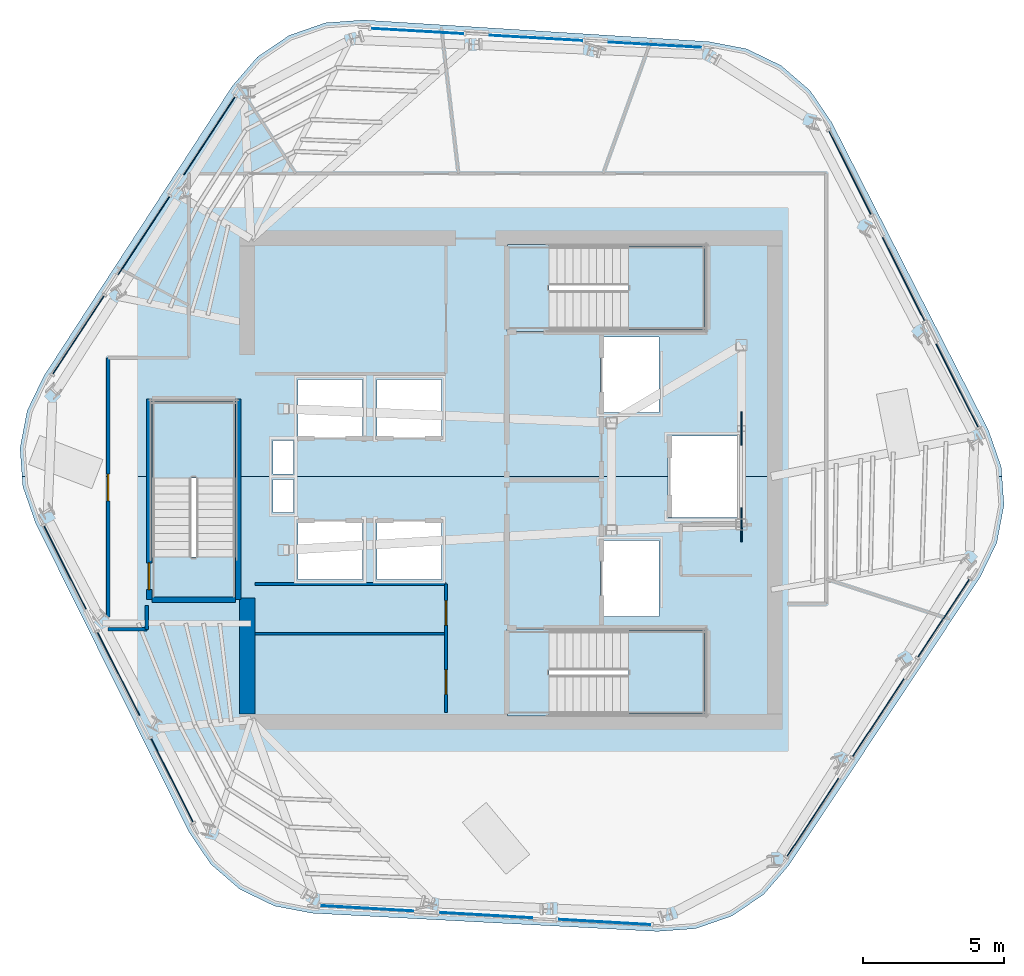
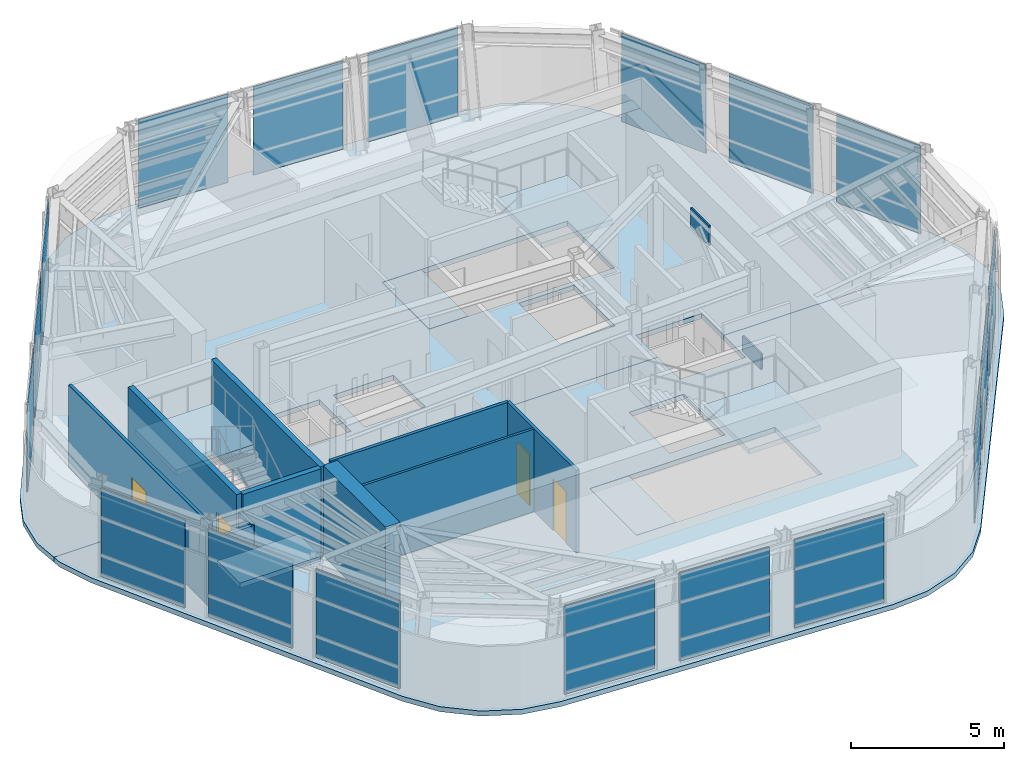
# One storey, part 6 of 13: 20 plates, 10 walls, 8 slabs, 4 doors, 4 openings, 9 elements without a shape of their own.
"""IFC4 building model written with IfcOpenShell, lengths in metres."""

from ifc_helpers import new_model, si_unit, direction, frame, frame_2d, origin, origin_2d, place, context, subcontext, project, spatial, polyline, rectangle, outline, extrude, material, layer, layer_set, type_object, element, fill, aggregate, save


model = new_model("IFC4")

# Units and contexts
model_context = context("Model", 3, precision=1e-05, world=origin(), true_north=direction((0.0, 1.0)))
body_context = subcontext(model_context, "Body", "Model", "MODEL_VIEW")
ifc_project = project(units=[si_unit("LENGTHUNIT", "METRE"), si_unit("AREAUNIT", "SQUARE_METRE"), si_unit("VOLUMEUNIT", "CUBIC_METRE"), si_unit("PLANEANGLEUNIT", "RADIAN"), si_unit("MASSUNIT", "GRAM", prefix="KILO")], contexts=[model_context])

# Site, building, storey
site_placement = place(None, origin())
site = spatial("IfcSite", under=ifc_project, at=site_placement, CompositionType="ELEMENT")
building_placement = place(site_placement, origin())
building = spatial("IfcBuilding", under=site, at=building_placement, Name="Valkerne Bourse Tower", CompositionType="ELEMENT")
storey_placement = place(building_placement, frame((0.0, 0.0, 269.800048828125)))
storey = spatial("IfcBuildingStorey", under=building, at=storey_placement, Name="L68", CompositionType="ELEMENT", Elevation=269.800048828125)

# Curtain wall, plates
ifc_material_1 = material(Name="Aluminium AA 6063-T6", Category="aluminium")
ifc_layer_1 = layer(ifc_material_1, 0.2451171875)
ifc_layer_set_1 = layer_set([ifc_layer_1], Name="Aluminium AA 6063-T6")
curtain_wall_type = type_object("IfcCurtainWallType", Name="CW-05", PredefinedType="NOTDEFINED", material=ifc_layer_set_1)
curtain_wall_1_placement = place(storey_placement, origin())
curtain_wall_1 = element("IfcCurtainWall", 1, at=curtain_wall_1_placement, inside=storey, type_object=curtain_wall_type, Name="L68 Hexagonal Stick Curtain Wall Face 1", PredefinedType="NOTDEFINED")
ifc_material_2 = material(Name="Glass IGU Low-E Double Glazed", Category="glass")
ifc_layer_2 = layer(ifc_material_2, 0.031982421875)
ifc_layer_set_2 = layer_set([ifc_layer_2], Name="Glass IGU Low-E Double Glazed")
plate_type_1 = type_object("IfcPlateType", Name="CW-PNL-IGU-32", PredefinedType="CURTAIN_PANEL", material=ifc_layer_set_2)
plate_1_placement = place(storey_placement, frame((51.8994140625, 42.2705078125, 0.030029296875), z_axis=(0.0, 0.0, 1.0), x_axis=(-0.99834261844, 0.05755011908, 0.0)))
plate_1 = element("IfcPlate", 2, at=plate_1_placement, type_object=plate_type_1, Name="CW-L68-F1 Curtain Panel 00", PredefinedType="CURTAIN_PANEL", context=body_context, shape_type="SweptSolid", body=[
    extrude(rectangle(XDim=3.2919921875, YDim=0.031982421875, at=origin_2d()), origin(), (0.0, 0.0, 1.0), 3.5400390625),
])
plate_2_placement = place(storey_placement, frame((47.694580078125, 42.512939453125, 0.030029296875), z_axis=(0.0, 0.0, 1.0), x_axis=(-0.998341254083, 0.057573782189, 0.0)))
plate_2 = element("IfcPlate", 3, at=plate_2_placement, type_object=plate_type_1, Name="CW-L68-F1 Curtain Panel 01", PredefinedType="CURTAIN_PANEL", context=body_context, shape_type="SweptSolid", body=[
    extrude(rectangle(XDim=3.2919921875, YDim=0.031982421875, at=origin_2d()), origin(), (0.0, 0.0, 1.0), 3.5400390625),
])
plate_3_placement = place(storey_placement, frame((43.489501953125, 42.75537109375, 0.030029296875), z_axis=(0.0, 0.0, 1.0), x_axis=(-0.99834261844, 0.05755011908, 0.0)))
plate_3 = element("IfcPlate", 4, at=plate_3_placement, type_object=plate_type_1, Name="CW-L68-F1 Curtain Panel 02", PredefinedType="CURTAIN_PANEL", context=body_context, shape_type="SweptSolid", body=[
    extrude(rectangle(XDim=3.2919921875, YDim=0.031982421875, at=origin_2d()), origin(), (0.0, 0.0, 1.0), 3.5400390625),
])
aggregate(curtain_wall_1, [plate_1, plate_2, plate_3])

curtain_wall_2_placement = place(storey_placement, origin())
curtain_wall_2 = element("IfcCurtainWall", 5, at=curtain_wall_2_placement, inside=storey, type_object=curtain_wall_type, Name="L68 Hexagonal Stick Curtain Wall Face 2", PredefinedType="NOTDEFINED")
plate_4_placement = place(storey_placement, frame((36.125, 39.051513671875, 0.030029296875), z_axis=(0.0, 0.0, 1.0), x_axis=(-0.549027698442, -0.835804155495, 0.0)))
plate_4 = element("IfcPlate", 6, at=plate_4_placement, type_object=plate_type_1, Name="CW-L68-F2 Curtain Panel 00", PredefinedType="CURTAIN_PANEL", context=body_context, shape_type="SweptSolid", body=[
    extrude(rectangle(XDim=3.2919921875, YDim=0.031982421875, at=origin_2d()), origin(), (0.0, 0.0, 1.0), 3.5400390625),
])
plate_5_placement = place(storey_placement, frame((33.8125, 35.531005859375, 0.030029296875), z_axis=(0.0, 0.0, 1.0), x_axis=(-0.549016804002, -0.835811311795, 0.0)))
plate_5 = element("IfcPlate", 7, at=plate_5_placement, type_object=plate_type_1, Name="CW-L68-F2 Curtain Panel 01", PredefinedType="CURTAIN_PANEL", context=body_context, shape_type="SweptSolid", body=[
    extrude(rectangle(XDim=3.2919921875, YDim=0.031982421875, at=origin_2d()), origin(), (0.0, 0.0, 1.0), 3.5400390625),
])
plate_6_placement = place(storey_placement, frame((31.5, 32.010498046875, 0.030029296875), z_axis=(0.0, 0.0, 1.0), x_axis=(-0.549011112876, -0.835815050079, 0.0)))
plate_6 = element("IfcPlate", 8, at=plate_6_placement, type_object=plate_type_1, Name="CW-L68-F2 Curtain Panel 02", PredefinedType="CURTAIN_PANEL", context=body_context, shape_type="SweptSolid", body=[
    extrude(rectangle(XDim=3.2919921875, YDim=0.031982421875, at=origin_2d()), origin(), (0.0, 0.0, 1.0), 3.5400390625),
])
aggregate(curtain_wall_2, [plate_4, plate_5, plate_6])

curtain_wall_3_placement = place(storey_placement, origin())
curtain_wall_3 = element("IfcCurtainWall", 9, at=curtain_wall_3_placement, inside=storey, type_object=curtain_wall_type, Name="L68 Hexagonal Stick Curtain Wall Face 3", PredefinedType="NOTDEFINED")
plate_7_placement = place(storey_placement, frame((31.025634765625, 23.781005859375, 0.030029296875), z_axis=(0.0, 0.0, 1.0), x_axis=(0.449320658225, -0.893370553629, 0.0)))
plate_7 = element("IfcPlate", 10, at=plate_7_placement, type_object=plate_type_1, Name="CW-L68-F3 Curtain Panel 00", PredefinedType="CURTAIN_PANEL", context=body_context, shape_type="SweptSolid", body=[
    extrude(rectangle(XDim=3.2919921875, YDim=0.031982421875, at=origin_2d()), origin(), (0.0, 0.0, 1.0), 3.5400390625),
])
plate_8_placement = place(storey_placement, frame((32.918212890625, 20.018310546875, 0.030029296875), z_axis=(0.0, 0.0, 1.0), x_axis=(0.449311128056, -0.893375346764, 0.0)))
plate_8 = element("IfcPlate", 11, at=plate_8_placement, type_object=plate_type_1, Name="CW-L68-F3 Curtain Panel 01", PredefinedType="CURTAIN_PANEL", context=body_context, shape_type="SweptSolid", body=[
    extrude(rectangle(XDim=3.2919921875, YDim=0.031982421875, at=origin_2d()), origin(), (0.0, 0.0, 1.0), 3.5400390625),
])
plate_9_placement = place(storey_placement, frame((34.810546875, 16.25537109375, 0.030029296875), z_axis=(0.0, 0.0, 1.0), x_axis=(0.449330076439, -0.893365816677, 0.0)))
plate_9 = element("IfcPlate", 12, at=plate_9_placement, type_object=plate_type_1, Name="CW-L68-F3 Curtain Panel 02", PredefinedType="CURTAIN_PANEL", context=body_context, shape_type="SweptSolid", body=[
    extrude(rectangle(XDim=3.2919921875, YDim=0.031982421875, at=origin_2d()), origin(), (0.0, 0.0, 1.0), 3.5400390625),
])
aggregate(curtain_wall_3, [plate_7, plate_8, plate_9])

curtain_wall_4_placement = place(storey_placement, origin())
curtain_wall_4 = element("IfcCurtainWall", 13, at=curtain_wall_4_placement, inside=storey, type_object=curtain_wall_type, Name="L68 Hexagonal Stick Curtain Wall Face 4", PredefinedType="NOTDEFINED")
plate_10_placement = place(storey_placement, frame((41.700439453125, 11.7294921875, 0.030029296875), z_axis=(0.0, 0.0, 1.0), x_axis=(0.99834261844, -0.05755011908, 0.0)))
plate_10 = element("IfcPlate", 14, at=plate_10_placement, type_object=plate_type_1, Name="CW-L68-F4 Curtain Panel 00", PredefinedType="CURTAIN_PANEL", context=body_context, shape_type="SweptSolid", body=[
    extrude(rectangle(XDim=3.2919921875, YDim=0.031982421875, at=origin_2d()), origin(), (0.0, 0.0, 1.0), 3.5400390625),
])
plate_11_placement = place(storey_placement, frame((45.905517578125, 11.487060546875, 0.030029296875), z_axis=(0.0, 0.0, 1.0), x_axis=(0.998341254083, -0.057573782189, 0.0)))
plate_11 = element("IfcPlate", 15, at=plate_11_placement, type_object=plate_type_1, Name="CW-L68-F4 Curtain Panel 01", PredefinedType="CURTAIN_PANEL", context=body_context, shape_type="SweptSolid", body=[
    extrude(rectangle(XDim=3.2919921875, YDim=0.031982421875, at=origin_2d()), origin(), (0.0, 0.0, 1.0), 3.5400390625),
])
plate_12_placement = place(storey_placement, frame((50.110595703125, 11.24462890625, 0.030029296875), z_axis=(0.0, 0.0, 1.0), x_axis=(0.99834261844, -0.05755011908, 0.0)))
plate_12 = element("IfcPlate", 16, at=plate_12_placement, type_object=plate_type_1, Name="CW-L68-F4 Curtain Panel 02", PredefinedType="CURTAIN_PANEL", context=body_context, shape_type="SweptSolid", body=[
    extrude(rectangle(XDim=3.2919921875, YDim=0.031982421875, at=origin_2d()), origin(), (0.0, 0.0, 1.0), 3.5400390625),
])
aggregate(curtain_wall_4, [plate_10, plate_11, plate_12])

curtain_wall_5_placement = place(storey_placement, origin())
curtain_wall_5 = element("IfcCurtainWall", 17, at=curtain_wall_5_placement, inside=storey, type_object=curtain_wall_type, Name="L68 Hexagonal Stick Curtain Wall Face 5", PredefinedType="NOTDEFINED")
plate_13_placement = place(storey_placement, frame((57.474853515625, 14.948486328125, 0.030029296875), z_axis=(0.0, 0.0, 1.0), x_axis=(0.549027698442, 0.835804155495, 0.0)))
plate_13 = element("IfcPlate", 18, at=plate_13_placement, type_object=plate_type_1, Name="CW-L68-F5 Curtain Panel 00", PredefinedType="CURTAIN_PANEL", context=body_context, shape_type="SweptSolid", body=[
    extrude(rectangle(XDim=3.2919921875, YDim=0.031982421875, at=origin_2d()), origin(), (0.0, 0.0, 1.0), 3.5400390625),
])
plate_14_placement = place(storey_placement, frame((59.787353515625, 18.468994140625, 0.030029296875), z_axis=(0.0, 0.0, 1.0), x_axis=(0.549016804002, 0.835811311795, 0.0)))
plate_14 = element("IfcPlate", 19, at=plate_14_placement, type_object=plate_type_1, Name="CW-L68-F5 Curtain Panel 01", PredefinedType="CURTAIN_PANEL", context=body_context, shape_type="SweptSolid", body=[
    extrude(rectangle(XDim=3.2919921875, YDim=0.031982421875, at=origin_2d()), origin(), (0.0, 0.0, 1.0), 3.5400390625),
])
plate_15_placement = place(storey_placement, frame((62.099853515625, 21.989501953125, 0.030029296875), z_axis=(0.0, 0.0, 1.0), x_axis=(0.549011112876, 0.835815050079, 0.0)))
plate_15 = element("IfcPlate", 20, at=plate_15_placement, type_object=plate_type_1, Name="CW-L68-F5 Curtain Panel 02", PredefinedType="CURTAIN_PANEL", context=body_context, shape_type="SweptSolid", body=[
    extrude(rectangle(XDim=3.2919921875, YDim=0.031982421875, at=origin_2d()), origin(), (0.0, 0.0, 1.0), 3.5400390625),
])
aggregate(curtain_wall_5, [plate_13, plate_14, plate_15])

curtain_wall_6_placement = place(storey_placement, origin())
curtain_wall_6 = element("IfcCurtainWall", 21, at=curtain_wall_6_placement, inside=storey, type_object=curtain_wall_type, Name="L68 Hexagonal Stick Curtain Wall Face 6", PredefinedType="NOTDEFINED")
plate_16_placement = place(storey_placement, frame((62.574462890625, 30.218994140625, 0.030029296875), z_axis=(0.0, 0.0, 1.0), x_axis=(-0.449320658225, 0.893370553629, 0.0)))
plate_16 = element("IfcPlate", 22, at=plate_16_placement, type_object=plate_type_1, Name="CW-L68-F6 Curtain Panel 00", PredefinedType="CURTAIN_PANEL", context=body_context, shape_type="SweptSolid", body=[
    extrude(rectangle(XDim=3.2919921875, YDim=0.031982421875, at=origin_2d()), origin(), (0.0, 0.0, 1.0), 3.5400390625),
])
plate_17_placement = place(storey_placement, frame((60.681884765625, 33.981689453125, 0.030029296875), z_axis=(0.0, 0.0, 1.0), x_axis=(-0.449311128056, 0.893375346764, 0.0)))
plate_17 = element("IfcPlate", 23, at=plate_17_placement, type_object=plate_type_1, Name="CW-L68-F6 Curtain Panel 01", PredefinedType="CURTAIN_PANEL", context=body_context, shape_type="SweptSolid", body=[
    extrude(rectangle(XDim=3.2919921875, YDim=0.031982421875, at=origin_2d()), origin(), (0.0, 0.0, 1.0), 3.5400390625),
])
plate_18_placement = place(storey_placement, frame((58.789306640625, 37.74462890625, 0.030029296875), z_axis=(0.0, 0.0, 1.0), x_axis=(-0.449330076439, 0.893365816677, 0.0)))
plate_18 = element("IfcPlate", 24, at=plate_18_placement, type_object=plate_type_1, Name="CW-L68-F6 Curtain Panel 02", PredefinedType="CURTAIN_PANEL", context=body_context, shape_type="SweptSolid", body=[
    extrude(rectangle(XDim=3.2919921875, YDim=0.031982421875, at=origin_2d()), origin(), (0.0, 0.0, 1.0), 3.5400390625),
])
aggregate(curtain_wall_6, [plate_16, plate_17, plate_18])

# Plates
ifc_material_3 = material(Name="Steel ASTM A572 Grade 50", Category="steel")
ifc_layer_3 = layer(ifc_material_3, 0.06005859375)
ifc_layer_set_3 = layer_set([ifc_layer_3], Name="Steel ASTM A572 Grade 50")
plate_type_2 = type_object("IfcPlateType", Name="PLT-GUS-60", PredefinedType="SHEET", material=ifc_layer_set_3)
for number, where, z_axis, x_axis, name in (
    (25, (54.949951171875, 25.300048828125, -0.18017578125), (0.0, 0.0, 1.0), (0.0, 1.0, 0.0), "L68 Brace Node Gusset Plate PLT-GUS-END-L68-452"),
    (26, (54.949951171875, 28.699951171875, 2.89404296875), (0.0, 0.0, 1.0), (0.0, 1.0, 0.0), "L68 Brace Node Gusset Plate PLT-GUS-END-L68-453"),
):
    element("IfcPlate", number, at=place(storey_placement, frame(where, z_axis=z_axis, x_axis=x_axis)), inside=storey, type_object=plate_type_2, Name=name, PredefinedType="SHEET", context=body_context, shape_type="SweptSolid", body=[
        extrude(rectangle(XDim=1.199951171875, YDim=0.06005859375, at=origin_2d()), origin(), (0.0, 0.0, 1.0), 0.800048828125),
    ])

# Slabs
ifc_material_4 = material(Name="Concrete C40/50", Category="concrete")
ifc_layer_4 = layer(ifc_material_4, 0.25)
ifc_layer_set_4 = layer_set([ifc_layer_4], Name="Concrete C40/50")
slab_type_1 = type_object("IfcSlabType", Name="SLB-RMP-LND-250", PredefinedType="LANDING", material=ifc_layer_set_4)
slab_1_placement = place(storey_placement, frame((0.0, 0.0, -0.199951171875)))
element("IfcSlab", 27, at=slab_1_placement, inside=storey, type_object=slab_type_1, Name="L68 ST-1 Floor Landing Slab", PredefinedType="LANDING", context=body_context, shape_type="SweptSolid", body=[
    extrude(outline(polyline([(46.669921875, 18.5400390625), (48.14990234375, 18.5400390625), (48.14990234375, 21.610107421875), (46.669921875, 21.610107421875), (46.669921875, 18.5400390625)])), origin(), (0.0, 0.0, 1.0), 0.199951171875),
])
slab_2_placement = place(storey_placement, frame((0.0, 0.0, -0.199951171875)))
element("IfcSlab", 28, at=slab_2_placement, inside=storey, type_object=slab_type_1, Name="L68 ST-2 Floor Landing Slab", PredefinedType="LANDING", context=body_context, shape_type="SweptSolid", body=[
    extrude(outline(polyline([(46.669921875, 32.139892578125), (48.14990234375, 32.139892578125), (48.14990234375, 35.2099609375), (46.669921875, 35.2099609375), (46.669921875, 32.139892578125)])), origin(), (0.0, 0.0, 1.0), 0.199951171875),
])
slab_3_placement = place(storey_placement, frame((0.0, 0.0, -0.199951171875)))
element("IfcSlab", 29, at=slab_3_placement, inside=storey, type_object=slab_type_1, Name="L68 ST-3 Floor Landing Slab", PredefinedType="LANDING", context=body_context, shape_type="SweptSolid", body=[
    extrude(outline(polyline([(37.110107421875, 22.669921875), (37.110107421875, 24.14990234375), (34.0400390625, 24.14990234375), (34.0400390625, 22.669921875), (37.110107421875, 22.669921875)])), origin(), (0.0, 0.0, 1.0), 0.199951171875),
])

# Stair, slab
stair_type = type_object("IfcStairType", Name="ST-CORE-1400", PredefinedType="HALF_TURN_STAIR", material=ifc_material_4)
stair_1_placement = place(storey_placement, origin())
stair_1 = element("IfcStair", 30, at=stair_1_placement, inside=storey, type_object=stair_type, Name="L68 ST-1", PredefinedType="HALF_TURN_STAIR")
ifc_layer_5 = layer(ifc_material_4, 0.179931640625)
ifc_layer_set_5 = layer_set([ifc_layer_5], Name="Concrete C40/50")
slab_type_2 = type_object("IfcSlabType", Name="SLB-ST-LND-180", PredefinedType="LANDING", material=ifc_layer_set_5)
slab_4_placement = place(storey_placement, frame((0.0, 0.0, 1.699951171875)))
slab_4 = element("IfcSlab", 31, at=slab_4_placement, type_object=slab_type_2, Name="ST-1 landing 1", PredefinedType="LANDING", context=body_context, shape_type="SweptSolid", body=[
    extrude(outline(polyline([(50.949951171875, 18.60009765625), (53.64990234375, 18.60009765625), (53.64990234375, 21.550048828125), (50.949951171875, 21.550048828125), (50.949951171875, 18.60009765625)])), origin(), (0.0, 0.0, 1.0), 0.199951171875),
])
aggregate(stair_1, [slab_4])

stair_2_placement = place(storey_placement, origin())
stair_2 = element("IfcStair", 32, at=stair_2_placement, inside=storey, type_object=stair_type, Name="L68 ST-2", PredefinedType="HALF_TURN_STAIR")
slab_5_placement = place(storey_placement, frame((0.0, 0.0, 1.699951171875)))
slab_5 = element("IfcSlab", 33, at=slab_5_placement, type_object=slab_type_2, Name="ST-2 landing 1", PredefinedType="LANDING", context=body_context, shape_type="SweptSolid", body=[
    extrude(outline(polyline([(50.949951171875, 32.199951171875), (53.64990234375, 32.199951171875), (53.64990234375, 35.14990234375), (50.949951171875, 35.14990234375), (50.949951171875, 32.199951171875)])), origin(), (0.0, 0.0, 1.0), 0.199951171875),
])
aggregate(stair_2, [slab_5])

stair_3_placement = place(storey_placement, origin())
stair_3 = element("IfcStair", 34, at=stair_3_placement, inside=storey, type_object=stair_type, Name="L68 ST-3", PredefinedType="HALF_TURN_STAIR")
slab_6_placement = place(storey_placement, frame((0.0, 0.0, 1.699951171875)))
slab_6 = element("IfcSlab", 35, at=slab_6_placement, type_object=slab_type_2, Name="ST-3 landing 1", PredefinedType="LANDING", context=body_context, shape_type="SweptSolid", body=[
    extrude(outline(polyline([(37.050048828125, 26.949951171875), (37.050048828125, 29.64990234375), (34.10009765625, 29.64990234375), (34.10009765625, 26.949951171875), (37.050048828125, 26.949951171875)])), origin(), (0.0, 0.0, 1.0), 0.199951171875),
])
aggregate(stair_3, [slab_6])

# Slabs
ifc_layer_6 = layer(ifc_material_4, 0.199951171875)
ifc_layer_set_6 = layer_set([ifc_layer_6], Name="Concrete C40/50")
slab_type_3 = type_object("IfcSlabType", Name="SLB-TOW-200", PredefinedType="FLOOR", material=ifc_layer_set_6)
slab_7_placement = place(storey_placement, frame((0.0, 0.0, -0.199951171875)))
element("IfcSlab", 36, at=slab_7_placement, inside=storey, type_object=slab_type_3, Name="L68 Hexagonal Composite Floor Slab S", PredefinedType="FLOOR", context=body_context, shape_type="SweptSolid", body=[
    extrude(outline(polyline([(64.236572265625, 25.99462890625), (63.982177734375, 24.6611328125), (63.391357421875, 23.43896484375), (56.6259765625, 13.25), (55.739013671875, 12.222412109375), (54.6162109375, 11.459228515625), (53.334228515625, 11.012939453125), (51.98046875, 10.91357421875), (39.7666015625, 11.556884765625), (38.43310546875, 11.811279296875), (37.2109375, 12.402099609375), (36.183349609375, 13.289306640625), (35.42041015625, 14.411865234375), (29.97900390625, 25.365478515625), (29.53271484375, 26.6474609375), (29.5068359375, 27.0), (34.034912109375, 27.0), (34.034912109375, 22.6650390625), (37.114990234375, 22.6650390625), (37.114990234375, 27.0), (52.360107421875, 27.0), (52.360107421875, 25.56005859375), (54.840087890625, 25.56005859375), (54.840087890625, 27.0), (64.162841796875, 27.0), (64.236572265625, 25.99462890625)]), holes=[polyline([(39.260009765625, 25.43994140625), (39.260009765625, 23.360107421875), (41.5400390625, 23.360107421875), (41.5400390625, 25.43994140625), (39.260009765625, 25.43994140625)]), polyline([(44.340087890625, 25.43994140625), (42.06005859375, 25.43994140625), (42.06005859375, 23.360107421875), (44.340087890625, 23.360107421875), (44.340087890625, 25.43994140625)]), polyline([(38.3798828125, 26.89990234375), (38.3798828125, 25.72998046875), (39.10009765625, 25.72998046875), (39.10009765625, 26.89990234375), (38.3798828125, 26.89990234375)]), polyline([(46.6650390625, 21.614990234375), (46.6650390625, 18.534912109375), (53.675048828125, 18.534912109375), (53.675048828125, 21.614990234375), (46.6650390625, 21.614990234375)]), polyline([(52.0400390625, 24.739990234375), (49.9599609375, 24.739990234375), (49.9599609375, 22.06005859375), (52.0400390625, 22.06005859375), (52.0400390625, 24.739990234375)])]), origin(), (0.0, 0.0, 1.0), 0.199951171875),
])
slab_8_placement = place(storey_placement, frame((0.0, 0.0, -0.199951171875)))
element("IfcSlab", 37, at=slab_8_placement, inside=storey, type_object=slab_type_3, Name="L68 Hexagonal Composite Floor Slab N", PredefinedType="FLOOR", context=body_context, shape_type="SweptSolid", body=[
    extrude(outline(polyline([(64.13720703125, 27.348388671875), (64.162841796875, 27.0), (54.840087890625, 27.0), (54.840087890625, 28.43994140625), (52.360107421875, 28.43994140625), (52.360107421875, 27.0), (37.114990234375, 27.0), (37.114990234375, 29.675048828125), (34.034912109375, 29.675048828125), (34.034912109375, 27.0), (29.5068359375, 27.0), (29.433349609375, 28.00146484375), (29.687744140625, 29.334716796875), (30.278564453125, 30.556884765625), (36.942626953125, 40.8125), (37.82958984375, 41.840087890625), (38.952392578125, 42.603271484375), (40.234375, 43.0498046875), (41.588134765625, 43.149169921875), (53.794921875, 42.384521484375), (55.12841796875, 42.130126953125), (56.3505859375, 41.539306640625), (57.378173828125, 40.65234375), (58.14111328125, 39.529541015625), (63.690673828125, 28.63037109375), (64.13720703125, 27.348388671875)]), holes=[polyline([(39.10009765625, 28.27001953125), (38.3798828125, 28.27001953125), (38.3798828125, 27.10009765625), (39.10009765625, 27.10009765625), (39.10009765625, 28.27001953125)]), polyline([(41.5400390625, 30.43994140625), (39.260009765625, 30.43994140625), (39.260009765625, 28.360107421875), (41.5400390625, 28.360107421875), (41.5400390625, 30.43994140625)]), polyline([(42.06005859375, 30.43994140625), (42.06005859375, 28.360107421875), (44.340087890625, 28.360107421875), (44.340087890625, 30.43994140625), (42.06005859375, 30.43994140625)]), polyline([(52.0400390625, 31.93994140625), (49.9599609375, 31.93994140625), (49.9599609375, 29.260009765625), (52.0400390625, 29.260009765625), (52.0400390625, 31.93994140625)]), polyline([(53.675048828125, 35.215087890625), (46.6650390625, 35.215087890625), (46.6650390625, 32.135009765625), (53.675048828125, 32.135009765625), (53.675048828125, 35.215087890625)])]), origin(), (0.0, 0.0, 1.0), 0.199951171875),
])

# Wall
ifc_material_5 = material(Name="Concrete C55/67", Category="concrete")
ifc_layer_7 = layer(ifc_material_5, 0.550048828125)
ifc_layer_set_7 = layer_set([ifc_layer_7], Name="Concrete C55/67")
wall_type_1 = type_object("IfcWallType", Name="W-CORE-550", PredefinedType="SHEAR", material=ifc_layer_set_7)
wall_1_placement = place(storey_placement, frame((37.47509765625, 18.60009765625, 0.0), z_axis=(0.0, 0.0, 1.0), x_axis=(0.0, 1.0, 0.0)))
element("IfcWall", 38, at=wall_1_placement, inside=storey, type_object=wall_type_1, Name="L68 Core Shear Wall WEST-S", PredefinedType="SHEAR", context=body_context, shape_type="SweptSolid", body=[
    extrude(rectangle(XDim=4.099853515625, YDim=0.550048828125, at=frame_2d((2.0498046875, 0.0))), origin(), (0.0, 0.0, 1.0), 3.599853515625),
])

# Wall, openings, doors
ifc_material_6 = material(Name="Gypsum Board Steel-Stud Partition", Category="steel")
ifc_layer_8 = layer(ifc_material_6, 0.117919921875)
ifc_layer_set_8 = layer_set([ifc_layer_8], Name="Gypsum Board Steel-Stud Partition")
wall_type_2 = type_object("IfcWallType", Name="W-CORR-140", PredefinedType="PARTITIONING", material=ifc_layer_set_8)
wall_2_placement = place(storey_placement, frame((44.5, 18.64990234375, 0.0), z_axis=(0.0, 0.0, 1.0), x_axis=(0.0, 1.0, 0.0)))
wall_2 = element("IfcWall", 39, at=wall_2_placement, inside=storey, type_object=wall_type_2, Name="L68 LV7 Low-Bank East Wall", PredefinedType="PARTITIONING", context=body_context, shape_type="SweptSolid", body=[
    extrude(rectangle(XDim=4.550048828125, YDim=0.117919921875, at=frame_2d((2.27490234375, 0.0))), origin(), (0.0, 0.0, 1.0), 3.300048828125),
])
opening_1_placement = place(wall_2_placement, frame((0.64990234375, 0.0, 0.0)))
opening_1 = element("IfcOpeningElement", 40, at=opening_1_placement, cuts=wall_2, Name="Opening D-WC-900", PredefinedType="OPENING", context=body_context, shape_type="SweptSolid", body=[
    extrude(rectangle(XDim=0.860107421875, YDim=2.050048828125, at=frame_2d((0.43017578125, 1.02490234375))), frame((0.0, 0.06884765625, 0.0), z_axis=(0.0, -1.0, 0.0), x_axis=(1.0, 0.0, 0.0)), (0.0, 0.0, 1.0), 0.137939453125),
])
opening_2_placement = place(wall_2_placement, frame((3.10009765625, 0.0, 0.0)))
opening_2 = element("IfcOpeningElement", 41, at=opening_2_placement, cuts=wall_2, Name="Opening D-WC-900", PredefinedType="OPENING", context=body_context, shape_type="SweptSolid", body=[
    extrude(rectangle(XDim=0.860107421875, YDim=2.050048828125, at=frame_2d((0.43017578125, 1.02490234375))), frame((0.0, 0.06884765625, 0.0), z_axis=(0.0, -1.0, 0.0), x_axis=(1.0, 0.0, 0.0)), (0.0, 0.0, 1.0), 0.137939453125),
])
ifc_material_7 = material(Name="Architectural White Oak Timber", Category="wood")
door_type_1 = type_object("IfcDoorType", Name="DR-WC-900", OperationType="NOTDEFINED", PredefinedType="DOOR", material=ifc_material_7)
door_1_placement = place(opening_1_placement, origin())
door_1 = element("IfcDoor", 42, at=door_1_placement, inside=storey, type_object=door_type_1, Name="L68 Reprographics Office Door", OperationType="SINGLE_SWING_RIGHT", OverallHeight=2.050048828125, OverallWidth=0.860107421875, PredefinedType="DOOR", context=body_context, shape_type="SweptSolid", body=[
    extrude(rectangle(XDim=0.860107421875, YDim=2.050048828125, at=frame_2d((0.43017578125, 1.02490234375))), frame((0.0, 0.02490234375, 0.0), z_axis=(0.0, -1.0, 0.0), x_axis=(1.0, 0.0, 0.0)), (0.0, 0.0, 1.0), 0.050048828125),
])
fill(opening_1, door_1)
door_2_placement = place(opening_2_placement, origin())
door_2 = element("IfcDoor", 43, at=door_2_placement, inside=storey, type_object=door_type_1, Name="L68 First Aid Clinic Door", OperationType="SINGLE_SWING_RIGHT", OverallHeight=2.050048828125, OverallWidth=0.860107421875, PredefinedType="DOOR", context=body_context, shape_type="SweptSolid", body=[
    extrude(rectangle(XDim=0.860107421875, YDim=2.050048828125, at=frame_2d((0.43017578125, 1.02490234375))), frame((0.0, 0.02490234375, 0.0), z_axis=(0.0, -1.0, 0.0), x_axis=(1.0, 0.0, 0.0)), (0.0, 0.0, 1.0), 0.050048828125),
])
fill(opening_2, door_2)

# Walls
wall_3_placement = place(storey_placement, frame((37.75, 23.199951171875, 0.0), z_axis=(0.0, 0.0, 1.0), x_axis=(1.0, 0.0, 0.0)))
element("IfcWall", 44, at=wall_3_placement, inside=storey, type_object=wall_type_2, Name="L68 LV7 Low-Bank North Wall", PredefinedType="PARTITIONING", context=body_context, shape_type="SweptSolid", body=[
    extrude(rectangle(XDim=6.75, YDim=0.117919921875, at=frame_2d((3.375, 0.0))), origin(), (0.0, 0.0, 1.0), 3.300048828125),
])
wall_4_placement = place(storey_placement, frame((33.91796875, 22.43994140625, 0.0), z_axis=(0.0, 0.0, 1.0), x_axis=(0.002325575107, -0.999997295847, 0.0)))
element("IfcWall", 45, at=wall_4_placement, inside=storey, type_object=wall_type_2, Name="L68 Corridor Enclosure Wall", PredefinedType="PARTITIONING", context=body_context, shape_type="SweptSolid", body=[
    extrude(rectangle(XDim=0.83984375, YDim=0.117919921875, at=frame_2d((0.419921875, 0.0))), origin(), (0.0, 0.0, 1.0), 3.056640625),
])
wall_5_placement = place(storey_placement, frame((33.919921875, 21.60009765625, 0.0), z_axis=(0.0, 0.0, 1.0), x_axis=(-1.0, 0.0, 0.0)))
element("IfcWall", 46, at=wall_5_placement, inside=storey, type_object=wall_type_2, Name="L68 Corridor Enclosure Wall", PredefinedType="PARTITIONING", context=body_context, shape_type="SweptSolid", body=[
    extrude(rectangle(XDim=1.369873046875, YDim=0.117919921875, at=frame_2d((0.68505859375, 0.0))), origin(), (0.0, 0.0, 1.0), 3.0361328125),
])

# Wall, opening, door
wall_6_placement = place(storey_placement, frame((32.550048828125, 22.027099609375, 0.0), z_axis=(0.0, 0.0, 1.0), x_axis=(0.0, 1.0, 0.0)))
wall_6 = element("IfcWall", 47, at=wall_6_placement, inside=storey, type_object=wall_type_2, Name="L68 Corridor Enclosure Wall", PredefinedType="PARTITIONING", context=body_context, shape_type="SweptSolid", body=[
    extrude(rectangle(XDim=9.1728515625, YDim=0.117919921875, at=frame_2d((4.58642578125, 0.0))), origin(), (0.0, 0.0, 1.0), 3.300048828125),
])
opening_3_placement = place(wall_6_placement, frame((4.111328125, 0.0, 0.0)))
opening_3 = element("IfcOpeningElement", 48, at=opening_3_placement, cuts=wall_6, Name="Opening D-OF-950", PredefinedType="OPENING", context=body_context, shape_type="SweptSolid", body=[
    extrude(rectangle(XDim=0.949951171875, YDim=2.10009765625, at=frame_2d((0.47509765625, 1.050048828125))), frame((0.0, 0.06884765625, 0.0), z_axis=(0.0, -1.0, 0.0), x_axis=(1.0, 0.0, 0.0)), (0.0, 0.0, 1.0), 0.137939453125),
])
door_type_2 = type_object("IfcDoorType", Name="DR-OFF-950", OperationType="NOTDEFINED", PredefinedType="DOOR", material=ifc_material_7)
door_3_placement = place(opening_3_placement, origin())
door_3 = element("IfcDoor", 49, at=door_3_placement, inside=storey, type_object=door_type_2, Name="L68 L68 Member Collaboration Club Salon 5 Door", OperationType="SINGLE_SWING_LEFT", OverallHeight=2.10009765625, OverallWidth=0.949951171875, PredefinedType="DOOR", context=body_context, shape_type="SweptSolid", body=[
    extrude(rectangle(XDim=0.949951171875, YDim=2.10009765625, at=frame_2d((0.47509765625, 1.050048828125))), frame((0.0, 0.02490234375, 0.0), z_axis=(0.0, -1.0, 0.0), x_axis=(1.0, 0.0, 0.0)), (0.0, 0.0, 1.0), 0.050048828125),
])
fill(opening_3, door_3)

# Wall
ifc_layer_9 = layer(ifc_material_6, 0.092041015625)
ifc_layer_set_9 = layer_set([ifc_layer_9], Name="Gypsum Board Steel-Stud Partition")
wall_type_3 = type_object("IfcWallType", Name="W-PART-115", PredefinedType="PARTITIONING", material=ifc_layer_set_9)
wall_7_placement = place(storey_placement, frame((37.75, 21.43994140625, 0.0), z_axis=(0.0, 0.0, 1.0), x_axis=(1.0, 0.0, 0.0)))
element("IfcWall", 50, at=wall_7_placement, inside=storey, type_object=wall_type_3, Name="L68 LV7 Low-Bank Sub-Divider", PredefinedType="PARTITIONING", context=body_context, shape_type="SweptSolid", body=[
    extrude(rectangle(XDim=6.75, YDim=0.092041015625, at=frame_2d((3.375, 0.0))), origin(), (0.0, 0.0, 1.0), 3.300048828125),
])

# Wall, opening, door
ifc_layer_10 = layer(ifc_material_4, 0.199951171875)
ifc_layer_set_10 = layer_set([ifc_layer_10], Name="Concrete C40/50")
wall_type_4 = type_object("IfcWallType", Name="W-SHF-200", PredefinedType="SHEAR", material=ifc_layer_set_10)
wall_8_placement = place(storey_placement, frame((34.0, 22.64990234375, 0.0), z_axis=(0.0, 0.0, 1.0), x_axis=(0.0, 1.0, 0.0)))
wall_8 = element("IfcWall", 51, at=wall_8_placement, inside=storey, type_object=wall_type_4, Name="L68 Exit Stair ST-3 Structural Shaft Wall West", PredefinedType="SHEAR", context=body_context, shape_type="SweptSolid", body=[
    extrude(rectangle(XDim=7.10009765625, YDim=0.199951171875, at=frame_2d((3.550048828125, 0.0))), origin(), (0.0, 0.0, 1.0), 3.599853515625),
])
opening_4_placement = place(wall_8_placement, frame((0.35009765625, 0.0, 0.0)))
opening_4 = element("IfcOpeningElement", 52, at=opening_4_placement, cuts=wall_8, Name="Opening D-ST-950", PredefinedType="OPENING", context=body_context, shape_type="SweptSolid", body=[
    extrude(rectangle(XDim=0.949951171875, YDim=2.10009765625, at=frame_2d((0.47509765625, 1.050048828125))), frame((0.0, 0.10986328125, 0.0), z_axis=(0.0, -1.0, 0.0), x_axis=(1.0, 0.0, 0.0)), (0.0, 0.0, 1.0), 0.219970703125),
])
ifc_material_8 = material(Name="Galvanised Painted Steel", Category="steel")
door_type_3 = type_object("IfcDoorType", Name="DR-STAIR-950", OperationType="NOTDEFINED", PredefinedType="DOOR", material=ifc_material_8)
door_4_placement = place(opening_4_placement, origin())
door_4 = element("IfcDoor", 53, at=door_4_placement, inside=storey, type_object=door_type_3, Name="L68 Exit Stair ST-3 Door", OperationType="SINGLE_SWING_LEFT", OverallHeight=2.10009765625, OverallWidth=0.949951171875, PredefinedType="DOOR", context=body_context, shape_type="SweptSolid", body=[
    extrude(rectangle(XDim=0.949951171875, YDim=2.10009765625, at=frame_2d((0.47509765625, 1.050048828125))), frame((0.0, 0.02490234375, 0.0), z_axis=(0.0, -1.0, 0.0), x_axis=(1.0, 0.0, 0.0)), (0.0, 0.0, 1.0), 0.050048828125),
])
fill(opening_4, door_4)

# Walls
wall_9_placement = place(storey_placement, frame((34.10009765625, 22.64990234375, 0.0), z_axis=(0.0, 0.0, 1.0), x_axis=(1.0, 0.0, 0.0)))
element("IfcWall", 54, at=wall_9_placement, inside=storey, type_object=wall_type_4, Name="L68 Exit Stair ST-3 Structural Shaft Wall South", PredefinedType="SHEAR", context=body_context, shape_type="SweptSolid", body=[
    extrude(rectangle(XDim=2.949951171875, YDim=0.199951171875, at=frame_2d((1.47509765625, 0.0))), origin(), (0.0, 0.0, 1.0), 3.599853515625),
])
wall_10_placement = place(storey_placement, frame((37.14990234375, 22.64990234375, 0.0), z_axis=(0.0, 0.0, 1.0), x_axis=(0.0, 1.0, 0.0)))
element("IfcWall", 55, at=wall_10_placement, inside=storey, type_object=wall_type_4, Name="L68 Exit Stair ST-3 Structural Shaft Wall East", PredefinedType="SHEAR", context=body_context, shape_type="SweptSolid", body=[
    extrude(rectangle(XDim=7.10009765625, YDim=0.199951171875, at=frame_2d((3.550048828125, 0.0))), origin(), (0.0, 0.0, 1.0), 3.599853515625),
])

save(model, "model.ifc")
